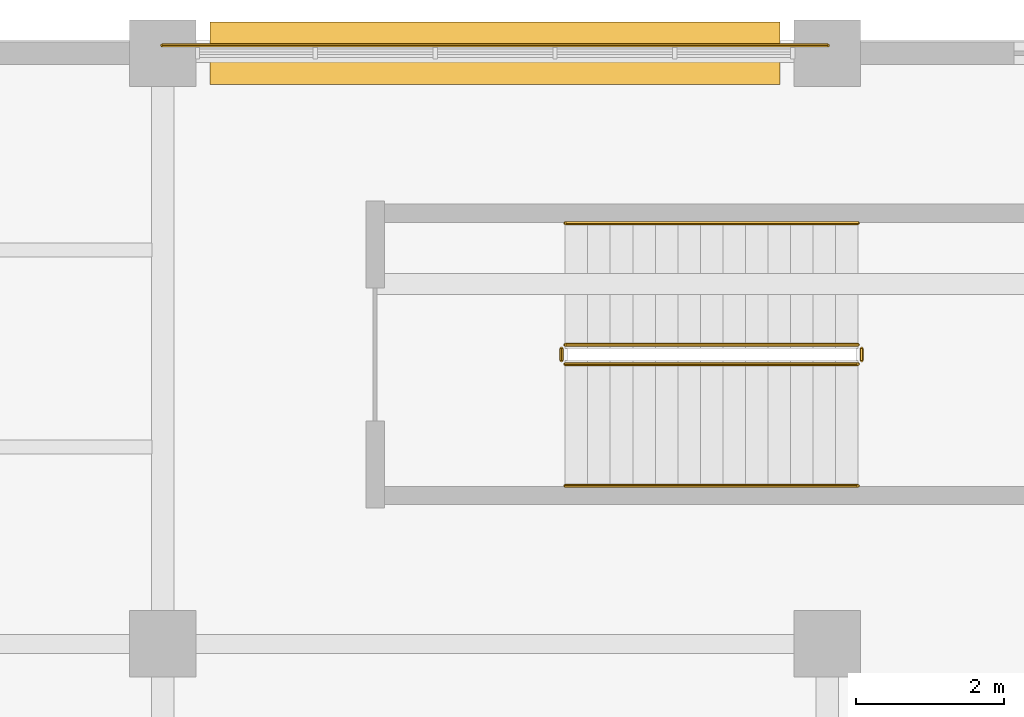
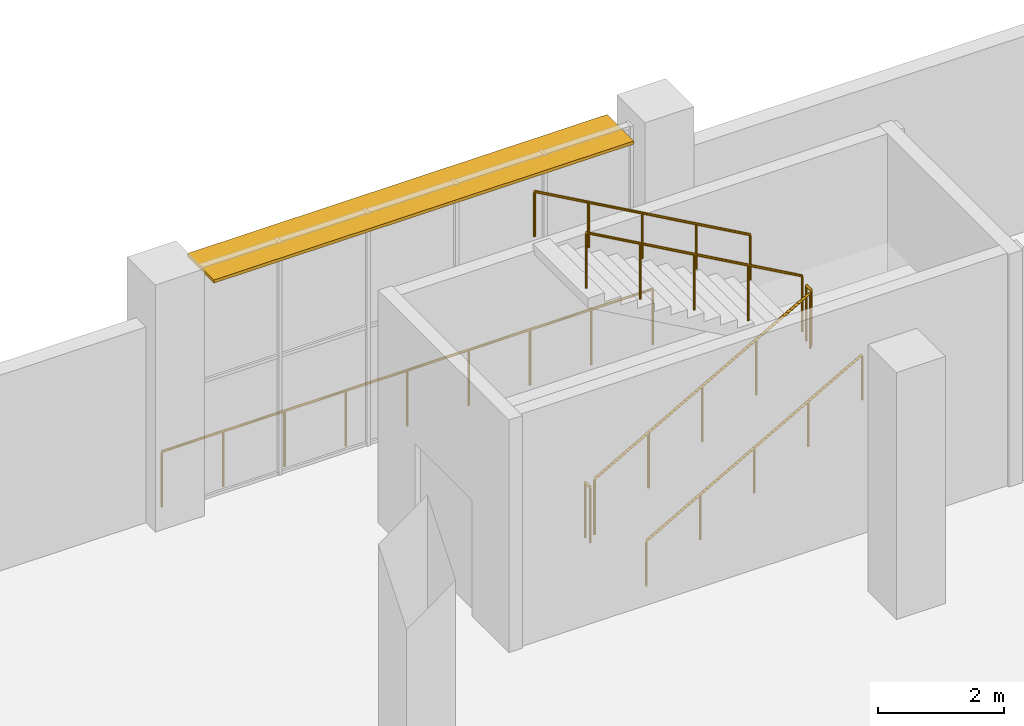
# One storey, part 180 of 183: 7 railings, 1 shading device.
"""IFC4 building model written with IfcOpenShell, lengths in metres."""

import ifcopenshell
import ifcopenshell.guid

model = None  # the IFC model being written
_history = None  # IfcOwnerHistory: only IFC2X3 demands one
_inside = {}  # id of a spatial element -> (the spatial element, [elements in it])
_under = {}  # id of a project, library or spatial element -> (it, [spatial elements below it])
_declared = {}  # id of a project -> (the project, [libraries it declares])
_typed = {}  # id of a type object -> (the type object, [elements of that type])
_made_of = {}  # id of a material, layer set ... -> (it, [elements and type objects made of it])


def new_model(schema):
    """Start an empty IFC model of exactly this schema.

    Asked for "IFC4X3", IfcOpenShell would pick the latest addendum, in which some entities
    have other attributes; the version numbers below select the first issue.
    IFC2X3 requires an IfcOwnerHistory on every rooted entity: one is made here for all.
    """
    global model, _history
    if schema == "IFC4X3":
        model = ifcopenshell.file(schema_version=(4, 3, 0, 0))
    else:
        model = ifcopenshell.file(schema=schema)
    _inside.clear()
    _under.clear()
    _declared.clear()
    _typed.clear()
    _made_of.clear()
    _history = None
    if model.schema == "IFC2X3":
        org = make("IfcOrganization", Name="unknown")
        user = make(
            "IfcPersonAndOrganization",
            ThePerson=make("IfcPerson", FamilyName="unknown"),
            TheOrganization=org,
        )
        app = make(
            "IfcApplication",
            ApplicationDeveloper=org,
            Version="unknown",
            ApplicationFullName="unknown",
            ApplicationIdentifier="unknown",
        )
        _history = make(
            "IfcOwnerHistory",
            OwningUser=user,
            OwningApplication=app,
            ChangeAction="ADDED",
            CreationDate=0,
        )
    return model


def make(cls, **values):
    """One entity of the class cls with the attributes given. An attribute that is None is left unset."""
    return model.create_entity(
        cls, **{name: value for name, value in values.items() if value is not None}
    )


def rooted(cls, **values):
    """An entity with a GlobalId (a new one), such as an element, a storey or a relation."""
    return make(cls, GlobalId=ifcopenshell.guid.new(), OwnerHistory=_history, **values)


def si_unit(unit_type, name, prefix=None):
    """IfcSIUnit, for example si_unit("LENGTHUNIT", "METRE", prefix="MILLI")."""
    return make("IfcSIUnit", UnitType=unit_type, Prefix=prefix, Name=name)


def assignment(units):
    """IfcUnitAssignment: the units of a project."""
    return None if units is None else make("IfcUnitAssignment", Units=units)


def point(xyz):
    """IfcCartesianPoint."""
    return None if xyz is None else make("IfcCartesianPoint", Coordinates=xyz)


def direction(xyz):
    """IfcDirection."""
    return None if xyz is None else make("IfcDirection", DirectionRatios=xyz)


def frame(location, z_axis=None, x_axis=None):
    """IfcAxis2Placement3D, a coordinate frame: its origin and axes. An axis left out is left unset."""
    return make(
        "IfcAxis2Placement3D",
        Location=point(location),
        Axis=direction(z_axis),
        RefDirection=direction(x_axis),
    )


def frame_2d(location, x_axis=None):
    """IfcAxis2Placement2D, a coordinate frame in the plane: its origin and x axis."""
    return make(
        "IfcAxis2Placement2D", Location=point(location), RefDirection=direction(x_axis)
    )


def origin():
    """The frame at (0, 0, 0) with its axes left unset."""
    return frame((0.0, 0.0, 0.0))


def origin_2d():
    """The frame at (0, 0) in the plane with its x axis left unset."""
    return frame_2d((0.0, 0.0))


def place(relative_to, where):
    """IfcLocalPlacement: puts the frame where relative to a parent placement (None: the world)."""
    return make(
        "IfcLocalPlacement", PlacementRelTo=relative_to, RelativePlacement=where
    )


def context(
    kind, dimensions, precision=None, world=None, true_north=None, identifier=None
):
    """IfcGeometricRepresentationContext, for example the 3D "Model" context."""
    return make(
        "IfcGeometricRepresentationContext",
        ContextIdentifier=identifier,
        ContextType=kind,
        CoordinateSpaceDimension=dimensions,
        Precision=precision,
        WorldCoordinateSystem=world,
        TrueNorth=true_north,
    )


def subcontext(parent, identifier, kind, view, scale=None):
    """IfcGeometricRepresentationSubContext, for example "Body" below "Model"."""
    return make(
        "IfcGeometricRepresentationSubContext",
        ContextIdentifier=identifier,
        ContextType=kind,
        ParentContext=parent,
        TargetScale=scale,
        TargetView=view,
    )


def project(units=None, contexts=None):
    """IfcProject with its units and contexts."""
    return rooted(
        "IfcProject",
        Name="project",
        RepresentationContexts=contexts,
        UnitsInContext=assignment(units),
    )


def spatial(cls, under=None, at=None, **own):
    """A site, building, storey or space (cls), placed at a placement, below another one or the project."""
    s = rooted(cls, ObjectPlacement=at, **own)
    if under is not None:
        _under.setdefault(under.id(), (under, []))[1].append(s)
    return s


def profile(cls, at=None, kind="AREA", **sizes):
    """A parametric profile (cls). Its sizes go by their IFC names, for example OverallWidth=200.0."""
    return make(cls, ProfileType=kind, Position=at, **sizes)


def rectangle(**sizes):
    """IfcRectangleProfileDef."""
    return profile("IfcRectangleProfileDef", **sizes)


def circle(**sizes):
    """IfcCircleProfileDef."""
    return profile("IfcCircleProfileDef", **sizes)


def extrude(swept, where, along, depth):
    """IfcExtrudedAreaSolid: the profile swept, set in the frame where, extruded along a direction by depth."""
    return make(
        "IfcExtrudedAreaSolid",
        SweptArea=swept,
        Position=where,
        ExtrudedDirection=direction(along),
        Depth=depth,
    )


def shape(context_of_items, identifier, shape_type, items):
    """IfcShapeRepresentation: the items that make up one representation, for example the "Body"."""
    return make(
        "IfcShapeRepresentation",
        ContextOfItems=context_of_items,
        RepresentationIdentifier=identifier,
        RepresentationType=shape_type,
        Items=items,
    )


def material(Name=None, Category=None):
    """IfcMaterial."""
    return make("IfcMaterial", Name=Name, Category=Category)


def layer(
    of_material, thickness, ventilated=None, Name=None, Category=None, Priority=None
):
    """IfcMaterialLayer: one layer of a wall or slab, of a material (None: an air gap)."""
    return make(
        "IfcMaterialLayer",
        Material=of_material,
        LayerThickness=thickness,
        IsVentilated=ventilated,
        Name=Name,
        Category=Category,
        Priority=Priority,
    )


def layer_set(layers, Name=None):
    """IfcMaterialLayerSet."""
    return make("IfcMaterialLayerSet", MaterialLayers=layers, LayerSetName=Name)


def made_of(thing, what):
    """Note that an element or type object is made of a material, layer set ...; save() writes the relation."""
    if what is not None:
        _made_of.setdefault(what.id(), (what, []))[1].append(thing)
    return thing


def type_object(cls, material=None, **own):
    """A type object (cls), such as IfcWallType, which elements share."""
    return made_of(rooted(cls, **own), material)


def element(
    cls,
    number,
    at=None,
    inside=None,
    cuts=None,
    type_object=None,
    material=None,
    context=None,
    identifier="Body",
    shape_type=None,
    held_by="IfcProductDefinitionShape",
    body=None,
    shapes=None,
    **own,
):
    """One element of the class cls, such as IfcWall. Its Tag is "e" and its number.

    at: its placement. inside: the storey or other place that contains it. cuts: it is an
    opening in that element (IfcRelVoidsElement). A single representation is given by context,
    identifier, shape_type and body (its items); several are given by shapes. held_by: the class
    of the entity that holds the representations. save() writes the other relations.
    """
    e = rooted(cls, Tag="e%d" % number, ObjectPlacement=at, **own)
    if body is not None:
        shapes = [shape(context, identifier, shape_type, body)]
    if shapes is not None:
        e.Representation = make(held_by, Representations=shapes)
    if inside is not None:
        _inside.setdefault(inside.id(), (inside, []))[1].append(e)
    if cuts is not None:
        rooted(
            "IfcRelVoidsElement", RelatingBuildingElement=cuts, RelatedOpeningElement=e
        )
    if type_object is not None:
        _typed.setdefault(type_object.id(), (type_object, []))[1].append(e)
    return made_of(e, material)


def aggregate(whole, parts):
    """IfcRelAggregates: a whole, such as a stair, and the parts it consists of."""
    return rooted("IfcRelAggregates", RelatingObject=whole, RelatedObjects=parts)


def save(model, path):
    """Write the relations noted so far, then the file.

    IfcRelAggregates (storeys below a building ...), IfcRelContainedInSpatialStructure (elements
    in a storey), IfcRelDefinesByType, IfcRelAssociatesMaterial and IfcRelDeclares: one each for
    every whole, place, type object, material and project.
    """
    for whole, parts in _under.values():
        aggregate(whole, parts)
    for where, things in _inside.values():
        rooted(
            "IfcRelContainedInSpatialStructure",
            RelatedElements=things,
            RelatingStructure=where,
        )
    for kind, things in _typed.values():
        rooted("IfcRelDefinesByType", RelatedObjects=things, RelatingType=kind)
    for what, things in _made_of.values():
        rooted("IfcRelAssociatesMaterial", RelatedObjects=things, RelatingMaterial=what)
    for by, libraries in _declared.values():
        rooted("IfcRelDeclares", RelatingContext=by, RelatedDefinitions=libraries)
    model.write(path)


model = new_model("IFC4")

# Units and contexts
model_context = context("Model", 3, precision=1e-05, world=origin(), true_north=direction((0.0, 1.0)))
body_context = subcontext(model_context, "Body", "Model", "MODEL_VIEW")
ifc_project = project(units=[si_unit("LENGTHUNIT", "METRE"), si_unit("AREAUNIT", "SQUARE_METRE"), si_unit("VOLUMEUNIT", "CUBIC_METRE"), si_unit("PLANEANGLEUNIT", "RADIAN"), si_unit("MASSUNIT", "GRAM", prefix="KILO")], contexts=[model_context])

# Site, building, storey
site_placement = place(None, origin())
site = spatial("IfcSite", under=ifc_project, at=site_placement, CompositionType="ELEMENT")
building_placement = place(site_placement, origin())
building = spatial("IfcBuilding", under=site, at=building_placement, Name="Zevraka Park Crest Stadium", CompositionType="ELEMENT")
storey_placement = place(building_placement, frame((0.0, 0.0, 5.39990234375)))
storey = spatial("IfcBuildingStorey", under=building, at=storey_placement, Name="L01", CompositionType="ELEMENT", Elevation=5.39990234375)

# Railings
ifc_material_1 = material(Name="Galvanised and bronze-finished steel balustrade", Category="steel")
railing_type_1 = type_object("IfcRailingType", Name="GR01", PredefinedType="GUARDRAIL", material=ifc_material_1)
railing_1_placement = place(storey_placement, frame((160.990966796875, 184.10498046875, 0.0)))
element("IfcRailing", 1, at=railing_1_placement, inside=storey, type_object=railing_type_1, Name="Deck Edge Protection Guardrail GR01 L01-11", PredefinedType="GUARDRAIL", context=body_context, shape_type="SweptSolid", body=[
    extrude(circle(Radius=0.02392578125, at=origin_2d()), frame((0.0, 0.0, 1.076171875), z_axis=(1.0, 0.0, 0.0), x_axis=(0.0, 1.0, 0.0)), (0.0, 0.0, 1.0), 9.01806640625),
    extrude(circle(Radius=0.02099609375, at=origin_2d()), origin(), (0.0, 0.0, 1.0), 1.052001953125),
    extrude(circle(Radius=0.02099609375, at=origin_2d()), frame((1.127197265625, 0.0, 0.0)), (0.0, 0.0, 1.0), 1.052001953125),
    extrude(circle(Radius=0.02099609375, at=origin_2d()), frame((2.25439453125, 0.0, 0.0)), (0.0, 0.0, 1.0), 1.052001953125),
    extrude(circle(Radius=0.02099609375, at=origin_2d()), frame((3.3818359375, 0.0, 0.0)), (0.0, 0.0, 1.0), 1.052001953125),
    extrude(circle(Radius=0.02099609375, at=origin_2d()), frame((4.509033203125, 0.0, 0.0)), (0.0, 0.0, 1.0), 1.052001953125),
    extrude(circle(Radius=0.02099609375, at=origin_2d()), frame((5.63623046875, 0.0, 0.0)), (0.0, 0.0, 1.0), 1.052001953125),
    extrude(circle(Radius=0.02099609375, at=origin_2d()), frame((6.763671875, 0.0, 0.0)), (0.0, 0.0, 1.0), 1.052001953125),
    extrude(circle(Radius=0.02099609375, at=origin_2d()), frame((7.890869140625, 0.0, 0.0)), (0.0, 0.0, 1.0), 1.052001953125),
    extrude(circle(Radius=0.02099609375, at=origin_2d()), frame((9.01806640625, 0.0, 0.0)), (0.0, 0.0, 1.0), 1.052001953125),
])
ifc_material_2 = material(Name="Powder-coated tubular steel stairwell guard", Category="steel")
railing_type_2 = type_object("IfcRailingType", Name="GR03", PredefinedType="GUARDRAIL", material=ifc_material_2)
railing_2_placement = place(storey_placement, frame((166.449951171875, 179.7900390625, 0.171630859375)))
element("IfcRailing", 2, at=railing_2_placement, inside=storey, type_object=railing_type_2, Name="L01 ST46 stair guard 1", PredefinedType="GUARDRAIL", context=body_context, shape_type="SweptSolid", body=[
    extrude(circle(Radius=0.02392578125, at=origin_2d()), frame((0.0, 0.0, 1.076171875), z_axis=(0.871748933509, 0.0, 0.489952851738), x_axis=(0.0, 1.0, 0.0)), (0.0, 0.0, 1.0), 4.54833984375),
    extrude(circle(Radius=0.02099609375, at=origin_2d()), origin(), (0.0, 0.0, 1.0), 1.052001953125),
    extrude(circle(Radius=0.02099609375, at=origin_2d()), frame((0.9912109375, 0.0, 0.55712890625)), (0.0, 0.0, 1.0), 1.052001953125),
    extrude(circle(Radius=0.02099609375, at=origin_2d()), frame((1.982421875, 0.0, 1.1142578125)), (0.0, 0.0, 1.0), 1.052001953125),
    extrude(circle(Radius=0.02099609375, at=origin_2d()), frame((2.973876953125, 0.0, 1.67138671875)), (0.0, 0.0, 1.0), 1.052001953125),
    extrude(circle(Radius=0.02099609375, at=origin_2d()), frame((3.965087890625, 0.0, 2.228515625)), (0.0, 0.0, 1.0), 1.052001953125),
])
railing_3_placement = place(storey_placement, frame((170.465087890625, 179.840087890625, 2.400146484375)))
element("IfcRailing", 3, at=railing_3_placement, inside=storey, type_object=railing_type_2, Name="L01 ST46 stair guard 2", PredefinedType="GUARDRAIL", context=body_context, shape_type="SweptSolid", body=[
    extrude(circle(Radius=0.02392578125, at=origin_2d()), frame((0.0, 0.0, 1.076171875), z_axis=(0.0, 1.0, 0.0), x_axis=(-1.0, 0.0, 0.0)), (0.0, 0.0, 1.0), 0.159912109375),
    extrude(circle(Radius=0.02099609375, at=origin_2d()), origin(), (0.0, 0.0, 1.0), 1.052001953125),
    extrude(circle(Radius=0.02099609375, at=origin_2d()), frame((0.0, 0.159912109375, 0.0)), (0.0, 0.0, 1.0), 1.052001953125),
])
railing_4_placement = place(storey_placement, frame((170.4150390625, 180.050048828125, 2.571533203125)))
element("IfcRailing", 4, at=railing_4_placement, inside=storey, type_object=railing_type_2, Name="L01 ST46 stair guard 3", PredefinedType="GUARDRAIL", context=body_context, shape_type="SweptSolid", body=[
    extrude(circle(Radius=0.02392578125, at=origin_2d()), frame((0.0, 0.0, 1.076171875), z_axis=(-0.871748933509, 0.0, 0.489952851738), x_axis=(0.0, -1.0, 0.0)), (0.0, 0.0, 1.0), 4.54833984375),
    extrude(circle(Radius=0.02099609375, at=origin_2d()), origin(), (0.0, 0.0, 1.0), 1.052001953125),
    extrude(circle(Radius=0.02099609375, at=origin_2d()), frame((-0.9912109375, 0.0, 0.55712890625)), (0.0, 0.0, 1.0), 1.052001953125),
    extrude(circle(Radius=0.02099609375, at=origin_2d()), frame((-1.982421875, 0.0, 1.1142578125)), (0.0, 0.0, 1.0), 1.052001953125),
    extrude(circle(Radius=0.02099609375, at=origin_2d()), frame((-2.973876953125, 0.0, 1.67138671875)), (0.0, 0.0, 1.0), 1.052001953125),
    extrude(circle(Radius=0.02099609375, at=origin_2d()), frame((-3.965087890625, 0.0, 2.228515625)), (0.0, 0.0, 1.0), 1.052001953125),
])
railing_5_placement = place(storey_placement, frame((166.39990234375, 179.840087890625, 0.0)))
element("IfcRailing", 5, at=railing_5_placement, inside=storey, type_object=railing_type_2, Name="L01 ST46 stair guard 4", PredefinedType="GUARDRAIL", context=body_context, shape_type="SweptSolid", body=[
    extrude(circle(Radius=0.02392578125, at=origin_2d()), frame((0.0, 0.0, 1.076171875), z_axis=(0.0, 1.0, 0.0), x_axis=(-1.0, 0.0, 0.0)), (0.0, 0.0, 1.0), 0.159912109375),
    extrude(circle(Radius=0.02099609375, at=origin_2d()), origin(), (0.0, 0.0, 1.0), 1.052001953125),
    extrude(circle(Radius=0.02099609375, at=origin_2d()), frame((0.0, 0.159912109375, 0.0)), (0.0, 0.0, 1.0), 1.052001953125),
])
ifc_material_3 = material(Name="Brushed stainless steel continuous handrail", Category="steel")
railing_type_3 = type_object("IfcRailingType", Name="HR01", PredefinedType="HANDRAIL", material=ifc_material_3)
railing_6_placement = place(storey_placement, frame((166.449951171875, 178.139892578125, 0.171630859375)))
element("IfcRailing", 6, at=railing_6_placement, inside=storey, type_object=railing_type_3, Name="L01 ST46 stair handrail 1", PredefinedType="HANDRAIL", context=body_context, shape_type="SweptSolid", body=[
    extrude(circle(Radius=0.02392578125, at=origin_2d()), frame((0.0, 0.0, 0.8759765625), z_axis=(0.871748933509, 0.0, 0.489952851738), x_axis=(0.0, 1.0, 0.0)), (0.0, 0.0, 1.0), 4.54833984375),
    extrude(circle(Radius=0.02099609375, at=origin_2d()), origin(), (0.0, 0.0, 1.0), 0.851806640625),
    extrude(circle(Radius=0.02099609375, at=origin_2d()), frame((0.9912109375, 0.0, 0.55712890625)), (0.0, 0.0, 1.0), 0.851806640625),
    extrude(circle(Radius=0.02099609375, at=origin_2d()), frame((1.982421875, 0.0, 1.1142578125)), (0.0, 0.0, 1.0), 0.851806640625),
    extrude(circle(Radius=0.02099609375, at=origin_2d()), frame((2.973876953125, 0.0, 1.67138671875)), (0.0, 0.0, 1.0), 0.851806640625),
    extrude(circle(Radius=0.02099609375, at=origin_2d()), frame((3.965087890625, 0.0, 2.228515625)), (0.0, 0.0, 1.0), 0.851806640625),
])
railing_7_placement = place(storey_placement, frame((170.4150390625, 181.699951171875, 2.571533203125)))
element("IfcRailing", 7, at=railing_7_placement, inside=storey, type_object=railing_type_3, Name="L01 ST46 stair handrail 2", PredefinedType="HANDRAIL", context=body_context, shape_type="SweptSolid", body=[
    extrude(circle(Radius=0.02392578125, at=origin_2d()), frame((0.0, 0.0, 0.8759765625), z_axis=(-0.871748933509, 0.0, 0.489952851738), x_axis=(0.0, -1.0, 0.0)), (0.0, 0.0, 1.0), 4.54833984375),
    extrude(circle(Radius=0.02099609375, at=origin_2d()), origin(), (0.0, 0.0, 1.0), 0.851806640625),
    extrude(circle(Radius=0.02099609375, at=origin_2d()), frame((-0.9912109375, 0.0, 0.55712890625)), (0.0, 0.0, 1.0), 0.851806640625),
    extrude(circle(Radius=0.02099609375, at=origin_2d()), frame((-1.982421875, 0.0, 1.1142578125)), (0.0, 0.0, 1.0), 0.851806640625),
    extrude(circle(Radius=0.02099609375, at=origin_2d()), frame((-2.973876953125, 0.0, 1.67138671875)), (0.0, 0.0, 1.0), 0.851806640625),
    extrude(circle(Radius=0.02099609375, at=origin_2d()), frame((-3.965087890625, 0.0, 2.228515625)), (0.0, 0.0, 1.0), 0.851806640625),
])

# Shading device
ifc_material_4 = material(Name="Architectural golden-bronze anodised bronze", Category="aluminium")
ifc_layer = layer(ifc_material_4, 0.06005859375)
ifc_layer_set = layer_set([ifc_layer], Name="Architectural golden-bronze anodised bronze")
shading_device_type = type_object("IfcShadingDeviceType", Name="SHD01", PredefinedType="USERDEFINED", material=ifc_layer_set)
shading_device_placement = place(storey_placement, frame((165.5, 184.0, 4.440185546875), z_axis=(0.0, 0.0, 1.0), x_axis=(1.0, 0.0, 0.0)))
element("IfcShadingDevice", 8, at=shading_device_placement, inside=storey, type_object=shading_device_type, Name="Wing Bronze Solar Screen SHD01 L01-NGATE-N-2", ObjectType="SOLAR SCREEN", PredefinedType="USERDEFINED", context=body_context, shape_type="SweptSolid", body=[
    extrude(rectangle(XDim=7.719970703125, YDim=0.85009765625, at=origin_2d()), origin(), (0.0, 0.0, 1.0), 0.06005859375),
])

save(model, "model.ifc")
